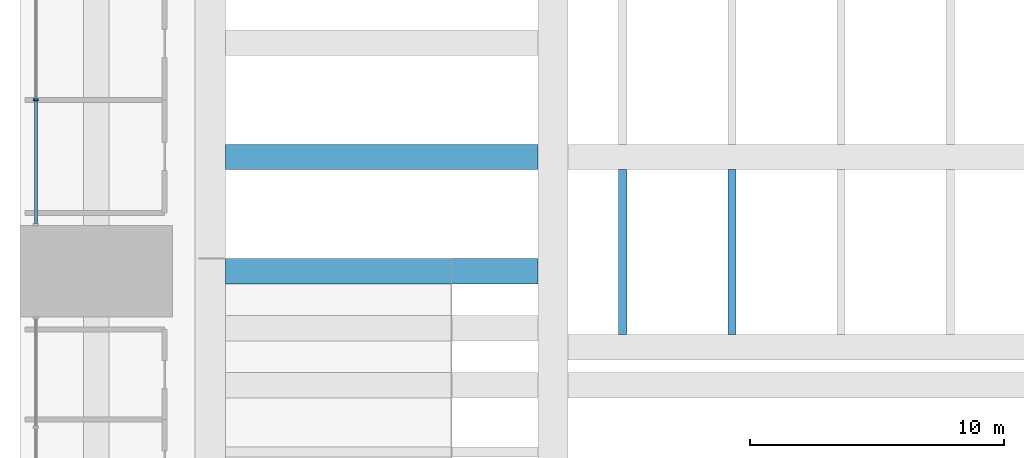
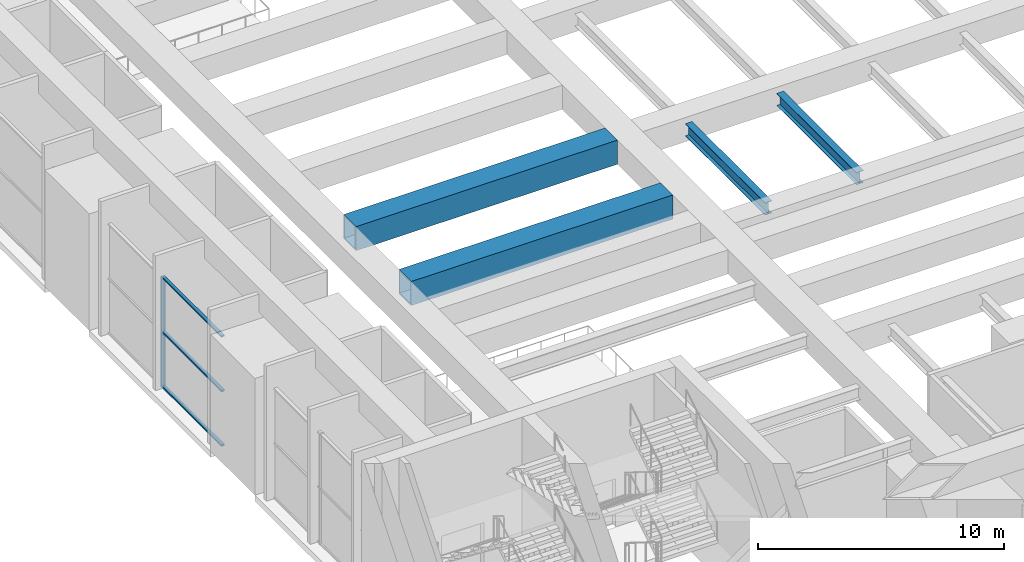
# One storey, part 3 of 45: 6 members, 2 beams, 1 element without a shape of its own.
"""IFC4 building model written with IfcOpenShell, lengths in metres."""

from ifc_helpers import new_model, si_unit, direction, frame, origin, origin_2d, place, context, subcontext, project, spatial, rectangle, hollow_rectangle, i_section, extrude, material, layer, layer_set, material_profile, profile_set, type_object, element, aggregate, save


model = new_model("IFC4")

# Units and contexts
model_context = context("Model", 3, precision=1e-05, world=origin(), true_north=direction((0.0, 1.0)))
body_context = subcontext(model_context, "Body", "Model", "MODEL_VIEW")
ifc_project = project(units=[si_unit("LENGTHUNIT", "METRE"), si_unit("AREAUNIT", "SQUARE_METRE"), si_unit("VOLUMEUNIT", "CUBIC_METRE"), si_unit("PLANEANGLEUNIT", "RADIAN"), si_unit("MASSUNIT", "GRAM", prefix="KILO")], contexts=[model_context])

# Site, building, storey
site_placement = place(None, origin())
site = spatial("IfcSite", under=ifc_project, at=site_placement, CompositionType="ELEMENT")
building_placement = place(site_placement, origin())
building = spatial("IfcBuilding", under=site, at=building_placement, Name="Corbelhall Arena Tower", CompositionType="ELEMENT")
storey_placement = place(building_placement, frame((0.0, 0.0, 37.0)))
storey = spatial("IfcBuildingStorey", under=building, at=storey_placement, Name="L05", CompositionType="ELEMENT", Elevation=37.0)

# Curtain wall, members
ifc_material_1 = material(Name="Aluminium black anodised", Category="aluminium")
ifc_layer = layer(ifc_material_1, 0.239990234375)
ifc_layer_set = layer_set([ifc_layer], Name="EV-CW4 Arena concourse glazing")
curtain_wall_type = type_object("IfcCurtainWallType", Name="EV-CW4 Arena concourse glazing", PredefinedType="NOTDEFINED", material=ifc_layer_set)
curtain_wall_placement = place(storey_placement, origin())
curtain_wall = element("IfcCurtainWall", 1, at=curtain_wall_placement, inside=storey, type_object=curtain_wall_type, Name="Curtain wall CW4", PredefinedType="NOTDEFINED")
ifc_material_profile_1 = material_profile(ifc_material_1, rectangle(XDim=0.199951171875, YDim=0.074951171875, at=origin_2d()))
ifc_profile_set_1 = profile_set([ifc_material_profile_1], Name="Aluminium black anodised")
member_type_1 = type_object("IfcMemberType", Name="EV-CW4-MULLION", PredefinedType="MULLION", material=ifc_profile_set_1)
member_1_placement = place(storey_placement, frame((-47.3798828125, -6.75, 0.0), z_axis=(0.0, 0.0, 1.0), x_axis=(1.0, 0.0, 0.0)))
member_1 = element("IfcMember", 2, at=member_1_placement, type_object=member_type_1, Name="CW4 mullion 2", PredefinedType="MULLION", context=body_context, shape_type="SweptSolid", body=[
    extrude(rectangle(XDim=0.199951171875, YDim=0.074951171875, at=origin_2d()), origin(), (0.0, 0.0, 1.0), 5.5),
])
ifc_material_profile_2 = material_profile(ifc_material_1, rectangle(XDim=0.14990234375, YDim=0.074951171875, at=origin_2d()))
ifc_profile_set_2 = profile_set([ifc_material_profile_2], Name="Aluminium black anodised")
member_type_2 = type_object("IfcMemberType", Name="EV-CW4-TRANSOM", PredefinedType="USERDEFINED", material=ifc_profile_set_2)
member_2_placement = place(storey_placement, frame((-47.3798828125, -6.78759765625, 0.03759765625), z_axis=(0.0, -1.0, 0.0), x_axis=(1.0, 0.0, 0.0)))
member_2 = element("IfcMember", 3, at=member_2_placement, type_object=member_type_2, Name="CW4 transom 2.1", ObjectType="transom", PredefinedType="USERDEFINED", context=body_context, shape_type="SweptSolid", body=[
    extrude(rectangle(XDim=0.14990234375, YDim=0.074951171875, at=origin_2d()), origin(), (0.0, 0.0, 1.0), 4.83740234375),
])
member_3_placement = place(storey_placement, frame((-47.3798828125, -6.78759765625, 2.75), z_axis=(0.0, -1.0, 0.0), x_axis=(1.0, 0.0, 0.0)))
member_3 = element("IfcMember", 4, at=member_3_placement, type_object=member_type_2, Name="CW4 transom 2.2", ObjectType="transom", PredefinedType="USERDEFINED", context=body_context, shape_type="SweptSolid", body=[
    extrude(rectangle(XDim=0.14990234375, YDim=0.074951171875, at=origin_2d()), origin(), (0.0, 0.0, 1.0), 4.83740234375),
])
member_4_placement = place(storey_placement, frame((-47.3798828125, -6.78759765625, 5.46240234375), z_axis=(0.0, -1.0, 0.0), x_axis=(1.0, 0.0, 0.0)))
member_4 = element("IfcMember", 5, at=member_4_placement, type_object=member_type_2, Name="CW4 transom 2.3", ObjectType="transom", PredefinedType="USERDEFINED", context=body_context, shape_type="SweptSolid", body=[
    extrude(rectangle(XDim=0.14990234375, YDim=0.074951171875, at=origin_2d()), origin(), (0.0, 0.0, 1.0), 4.83740234375),
])
aggregate(curtain_wall, [member_1, member_2, member_3, member_4])

# Beams
ifc_material_2 = material(Name="Steel ASTM A992 Gr50", Category="steel")
ifc_material_profile_3 = material_profile(ifc_material_2, i_section(OverallWidth=0.323974609375, OverallDepth=0.611083984375, WebThickness=0.0126953125, FlangeThickness=0.01904296875, at=origin_2d()))
ifc_profile_set_3 = profile_set([ifc_material_profile_3], Name="Steel ASTM A992 Gr50")
beam_type = type_object("IfcBeamType", Name="PO-BEAM-W24X104", PredefinedType="BEAM", material=ifc_profile_set_3)
for number, where, z_axis, x_axis, name in (
    (6, (-24.25, -16.0, 6.39453125), (0.0, 1.0, 0.0), (-1.0, 0.0, 0.0), "DECK BEAM BOT 21.1"),
    (7, (-19.949951171875, -16.0, 6.39453125), (0.0, 1.0, 0.0), (-1.0, 0.0, 0.0), "DECK BEAM BOT 21.2"),
):
    element("IfcBeam", number, at=place(storey_placement, frame(where, z_axis=z_axis, x_axis=x_axis)), inside=storey, type_object=beam_type, Name=name, PredefinedType="BEAM", context=body_context, shape_type="SweptSolid", body=[
        extrude(i_section(OverallWidth=0.323974609375, OverallDepth=0.611083984375, WebThickness=0.0126953125, FlangeThickness=0.01904296875, at=origin_2d()), origin(), (0.0, 0.0, 1.0), 6.5),
    ])

# Members
ifc_material_3 = material(Name="Steel ASTM A572 Gr50", Category="steel")
ifc_material_profile_4 = material_profile(ifc_material_3, hollow_rectangle(XDim=1.0, YDim=1.199951171875, WallThickness=0.06005859375, at=origin_2d()))
ifc_profile_set_4 = profile_set([ifc_material_profile_4], Name="Steel ASTM A572 Gr50")
member_type_3 = type_object("IfcMemberType", Name="PO-CHORD-1200X1000X60", PredefinedType="CHORD", material=ifc_profile_set_4)
for number, where, z_axis, x_axis, name in (
    (8, (-39.89990234375, -13.5, 6.39990234375), (1.0, 0.0, 0.0), (0.0, 1.0, 0.0), "TRUSS SEC-S13.50-0 BOT CHORD"),
    (9, (-39.89990234375, -9.0, 6.39990234375), (1.0, 0.0, 0.0), (0.0, 1.0, 0.0), "TRUSS SEC-S09.00-0 BOT CHORD"),
):
    element("IfcMember", number, at=place(storey_placement, frame(where, z_axis=z_axis, x_axis=x_axis)), inside=storey, type_object=member_type_3, Name=name, PredefinedType="CHORD", context=body_context, shape_type="SweptSolid", body=[
        extrude(hollow_rectangle(XDim=1.0, YDim=1.199951171875, WallThickness=0.06005859375, at=origin_2d()), origin(), (0.0, 0.0, 1.0), 12.2998046875),
    ])

save(model, "model.ifc")
